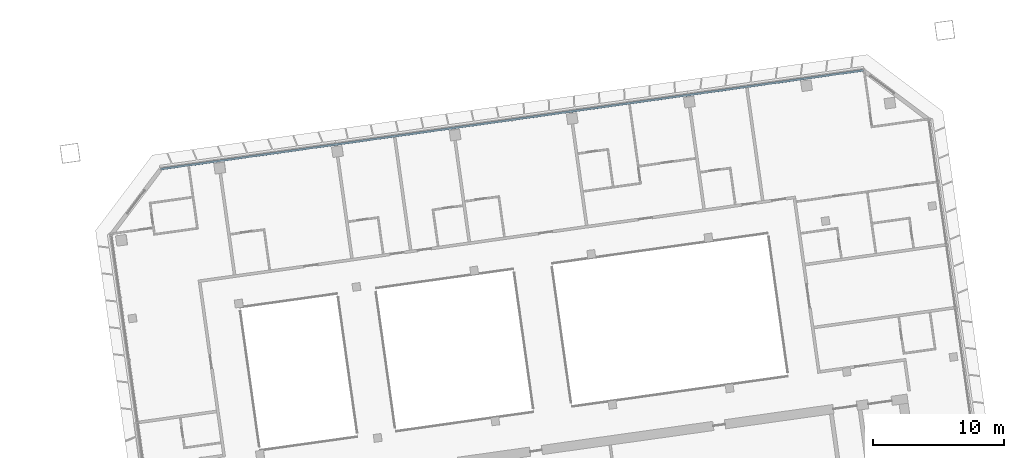
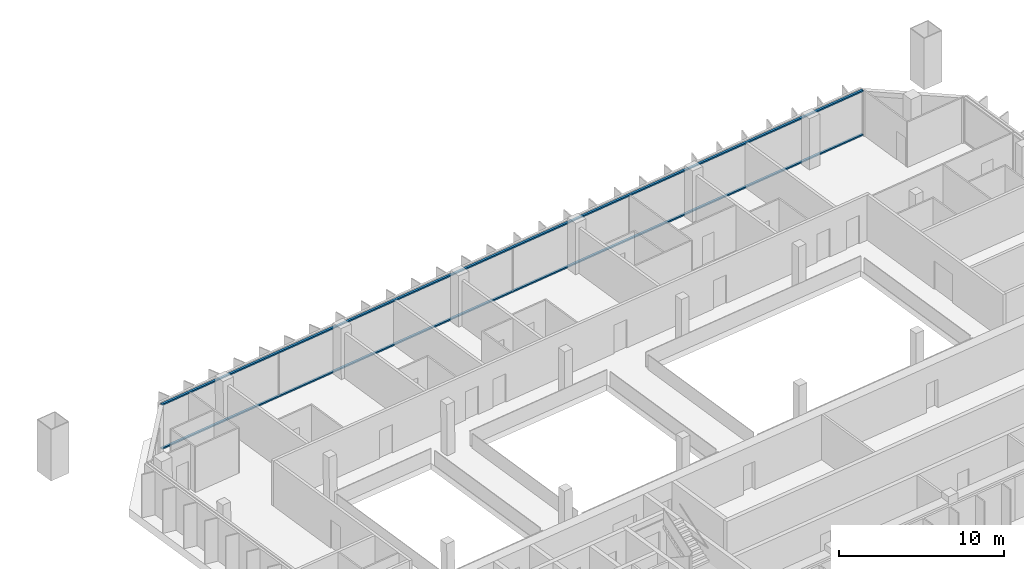
# One storey, part 12 of 26: 2 members, 1 element without a shape of its own.
"""IFC4 building model written with IfcOpenShell, lengths in metres."""

from ifc_helpers import new_model, si_unit, direction, frame, origin, origin_2d, place, context, subcontext, project, spatial, rectangle, extrude, material, material_profile, profile_set, type_object, element, aggregate, save


model = new_model("IFC4")

# Units and contexts
model_context = context("Model", 3, precision=1e-05, world=origin(), true_north=direction((0.0, 1.0)))
body_context = subcontext(model_context, "Body", "Model", "MODEL_VIEW")
ifc_project = project(units=[si_unit("LENGTHUNIT", "METRE"), si_unit("AREAUNIT", "SQUARE_METRE"), si_unit("VOLUMEUNIT", "CUBIC_METRE"), si_unit("PLANEANGLEUNIT", "RADIAN"), si_unit("MASSUNIT", "GRAM", prefix="KILO")], contexts=[model_context])

# Site, building, storey
site_placement = place(None, origin())
site = spatial("IfcSite", under=ifc_project, at=site_placement, CompositionType="ELEMENT")
building_placement = place(site_placement, origin())
building = spatial("IfcBuilding", under=site, at=building_placement, Name="Mirante Cascada Hotel Towers", CompositionType="ELEMENT")
storey_placement = place(building_placement, frame((0.0, 0.0, 161.2)))
storey = spatial("IfcBuildingStorey", under=building, at=storey_placement, Name="L37", CompositionType="ELEMENT", Elevation=161.2)

# Curtain wall, members
ifc_material_1 = material(Name="Aluminium mullion and transom frame with clear laminated glass", Category="aluminium")
curtain_wall_type = type_object("IfcCurtainWallType", Name="Ribbon curtain wall ECW1", PredefinedType="NOTDEFINED", material=ifc_material_1)
curtain_wall_placement = place(storey_placement, origin())
curtain_wall = element("IfcCurtainWall", 1, at=curtain_wall_placement, inside=storey, type_object=curtain_wall_type, Name="Front ribbon wall T2 L37", PredefinedType="NOTDEFINED")
ifc_material_2 = material(Name="Anodised aluminium extrusion", Category="aluminium")
ifc_material_profile = material_profile(ifc_material_2, rectangle(XDim=0.16, YDim=0.1, at=origin_2d()), Name="ECW1 TRANSOM 100x160")
ifc_profile_set = profile_set([ifc_material_profile], Name="Anodised aluminium extrusion")
member_type = type_object("IfcMemberType", Name="ECW1 transom 100x160", PredefinedType="USERDEFINED", material=ifc_profile_set)
member_1_placement = place(storey_placement, frame((85.2457, 24.7995, 0.05), z_axis=(-0.9902683, -0.1391718, 0.0), x_axis=(0.1391718, -0.9902683, 0.0)))
member_1 = element("IfcMember", 2, at=member_1_placement, type_object=member_type, Name="ECW1 sill transom", ObjectType="TRANSOM", PredefinedType="USERDEFINED", context=body_context, shape_type="SweptSolid", body=[
    extrude(rectangle(XDim=0.16, YDim=0.1, at=origin_2d()), origin(), (0.0, 0.0, 1.0), 53.9779),
])
member_2_placement = place(storey_placement, frame((85.2457, 24.7995, 3.3), z_axis=(-0.9902683, -0.1391718, 0.0), x_axis=(0.1391718, -0.9902683, 0.0)))
member_2 = element("IfcMember", 3, at=member_2_placement, type_object=member_type, Name="ECW1 head transom", ObjectType="TRANSOM", PredefinedType="USERDEFINED", context=body_context, shape_type="SweptSolid", body=[
    extrude(rectangle(XDim=0.16, YDim=0.1, at=origin_2d()), origin(), (0.0, 0.0, 1.0), 53.9779),
])
aggregate(curtain_wall, [member_1, member_2])

save(model, "model.ifc")
